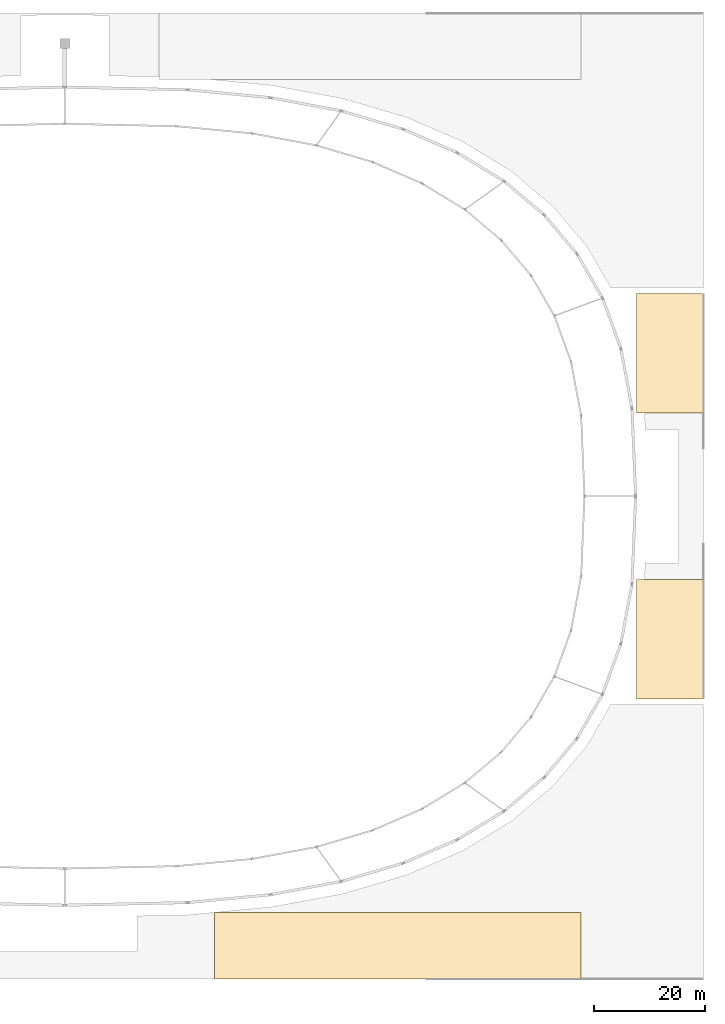
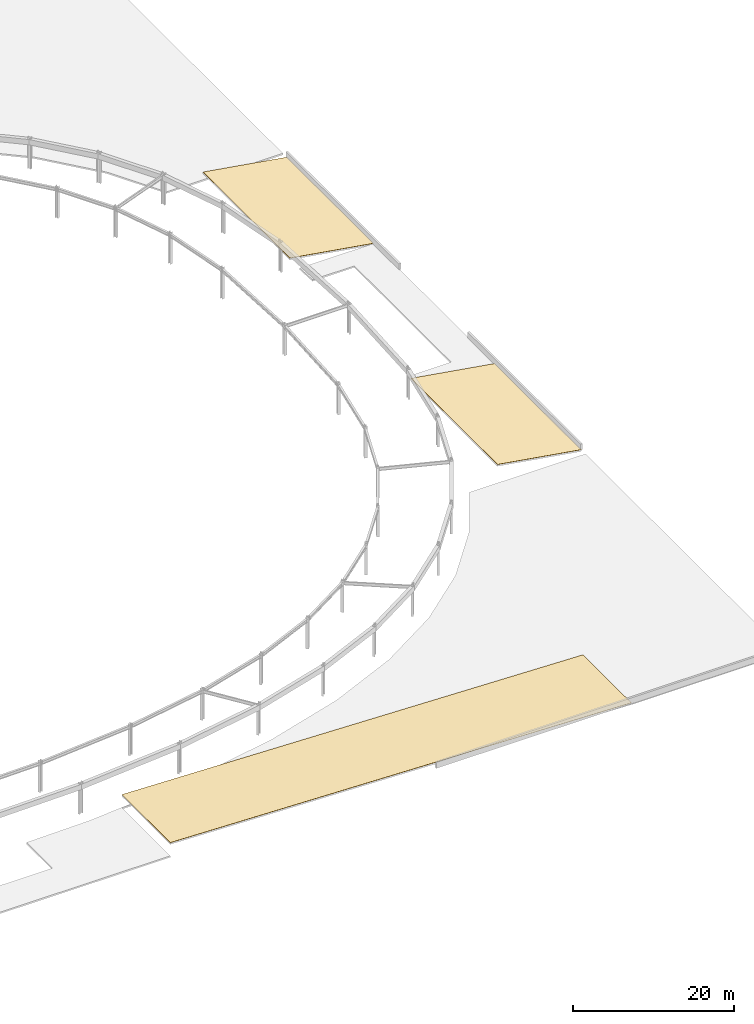
# One storey, part 43 of 45: 3 coverings.
"""IFC4 building model written with IfcOpenShell, lengths in metres."""

from ifc_helpers import new_model, si_unit, direction, frame, origin, place, context, subcontext, project, spatial, polyline, outline, extrude, material, layer, layer_set, type_object, element, save


model = new_model("IFC4")

# Units and contexts
model_context = context("Model", 3, precision=1e-05, world=origin(), true_north=direction((0.0, 1.0)))
body_context = subcontext(model_context, "Body", "Model", "MODEL_VIEW")
ifc_project = project(units=[si_unit("LENGTHUNIT", "METRE"), si_unit("AREAUNIT", "SQUARE_METRE"), si_unit("VOLUMEUNIT", "CUBIC_METRE"), si_unit("PLANEANGLEUNIT", "RADIAN"), si_unit("MASSUNIT", "GRAM", prefix="KILO")], contexts=[model_context])

# Site, building, storey
site_placement = place(None, origin())
site = spatial("IfcSite", under=ifc_project, at=site_placement, CompositionType="ELEMENT")
building_placement = place(site_placement, origin())
building = spatial("IfcBuilding", under=site, at=building_placement, Name="Mphavela Belvedere Stadium", CompositionType="ELEMENT")
storey_placement = place(building_placement, frame((0.0, 0.0, 24.0)))
storey = spatial("IfcBuildingStorey", under=building, at=storey_placement, Name="L05", CompositionType="ELEMENT", Elevation=24.0)

# Coverings
ifc_material = material(Name="Standing-seam zinc roofing membrane")
ifc_layer = layer(ifc_material, 0.030029296875)
ifc_layer_set = layer_set([ifc_layer], Name="Standing-seam zinc roofing membrane")
covering_type = type_object("IfcCoveringType", Name="COV-ROOF-ZINC", PredefinedType="ROOFING", material=ifc_layer_set)
covering_placement = place(storey_placement, frame((142.0, 0.0, 2.22998046875), z_axis=(0.029531828515, 0.0, 0.999563840435), x_axis=(0.999563840435, 0.0, -0.029531828515)))
element("IfcCovering", 1, at=covering_placement, inside=storey, type_object=covering_type, Name="South Axial Triumphal Peristyle Portico standing-seam zinc roofing E", PredefinedType="ROOFING", context=body_context, shape_type="SweptSolid", body=[
    extrude(outline(polyline([(0.0, 0.0), (66.02879909231045, 0.0), (66.02879909231045, 12.0), (0.0, 12.0), (0.0, 0.0)])), origin(), (0.0, 0.0, -1.0), 0.030029296875),
])
for number, where, z_axis, x_axis, name in (
    (2, (218.0, 50.5, 2.22998046875), (0.161194163827, 0.0, 0.986922713057), (0.986922713057, 0.0, -0.161194163827), "East Planted Eaves Peristyle Colonnade standing-seam zinc roofing S"),
    (3, (218.0, 102.0, 2.22998046875), (0.161194163827, 0.0, 0.986922713057), (0.986922713057, 0.0, -0.161194163827), "East Planted Eaves Peristyle Colonnade standing-seam zinc roofing N"),
):
    element("IfcCovering", number, at=place(storey_placement, frame(where, z_axis=z_axis, x_axis=x_axis)), inside=storey, type_object=covering_type, Name=name, PredefinedType="ROOFING", context=body_context, shape_type="SweptSolid", body=[
        extrude(outline(polyline([(0.0, 0.0), (12.15900682113987, 0.0), (12.15900682113987, 21.5), (0.0, 21.5), (0.0, 0.0)])), origin(), (0.0, 0.0, -1.0), 0.030029296875),
    ])

save(model, "model.ifc")
